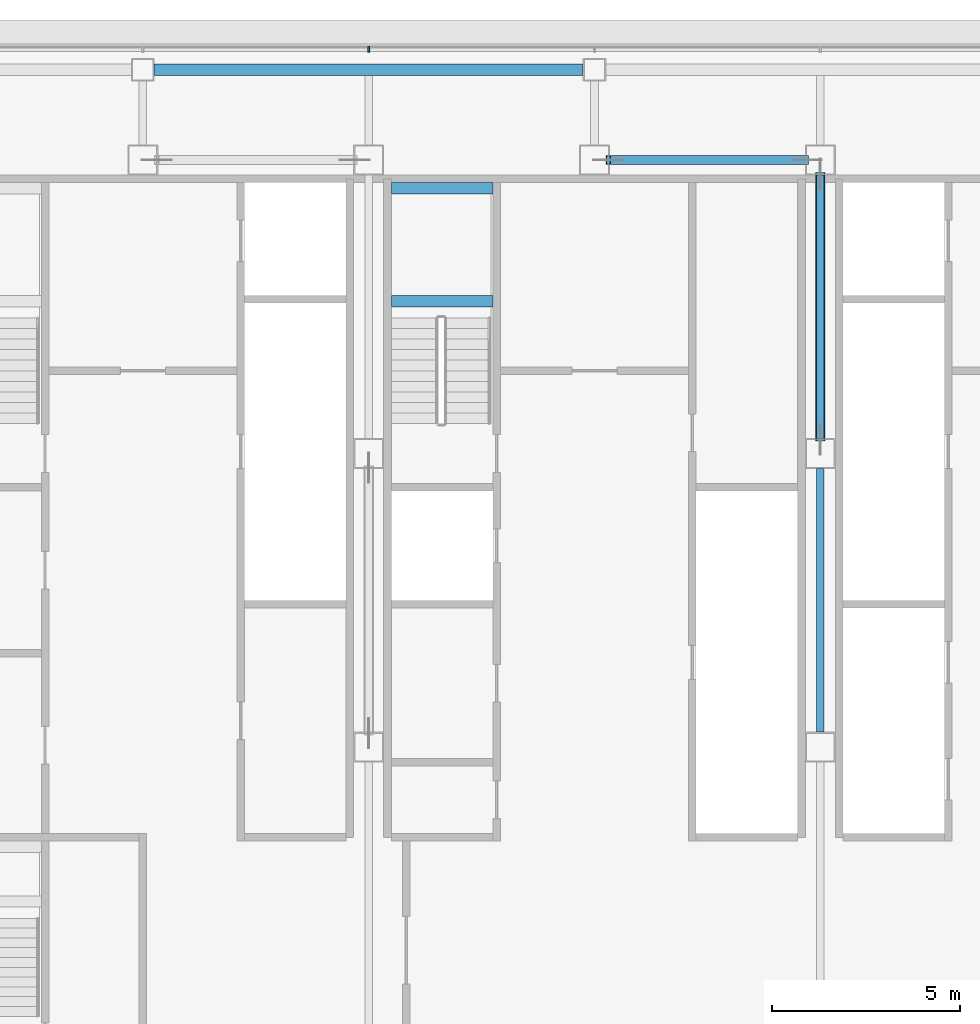
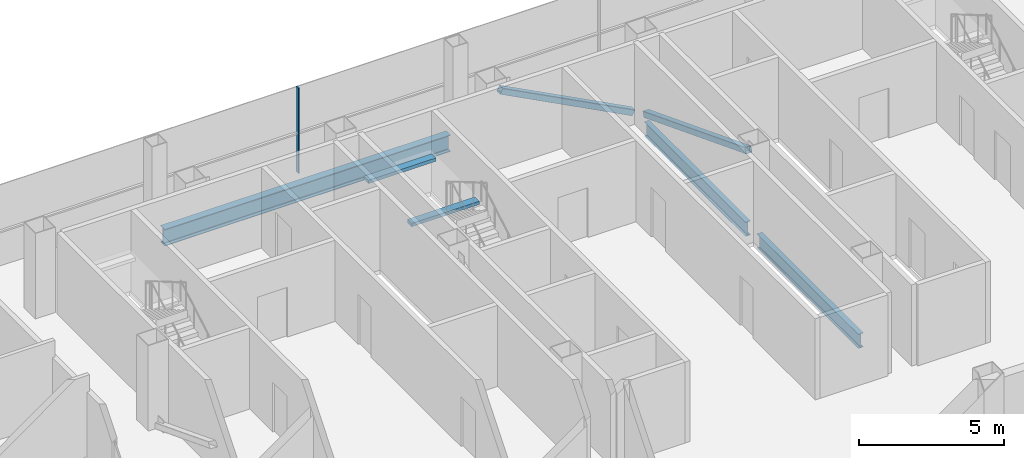
# One storey, part 14 of 28: 5 beams, 3 members, 1 element without a shape of its own.
"""IFC4 building model written with IfcOpenShell, lengths in metres."""

from ifc_helpers import new_model, si_unit, direction, frame, origin, origin_2d, place, context, subcontext, project, spatial, rectangle, hollow_rectangle, i_section, extrude, material, material_profile, profile_set, type_object, element, aggregate, save


model = new_model("IFC4")

# Units and contexts
model_context = context("Model", 3, precision=1e-05, world=origin(), true_north=direction((0.0, 1.0)))
body_context = subcontext(model_context, "Body", "Model", "MODEL_VIEW")
ifc_project = project(units=[si_unit("LENGTHUNIT", "METRE"), si_unit("AREAUNIT", "SQUARE_METRE"), si_unit("VOLUMEUNIT", "CUBIC_METRE"), si_unit("PLANEANGLEUNIT", "RADIAN"), si_unit("MASSUNIT", "GRAM", prefix="KILO")], contexts=[model_context])

# Site, building, storey
site_placement = place(None, origin())
site = spatial("IfcSite", under=ifc_project, at=site_placement, CompositionType="ELEMENT")
building_placement = place(site_placement, origin())
building = spatial("IfcBuilding", under=site, at=building_placement, Name="Sorahane Residences", CompositionType="ELEMENT")
storey_placement = place(building_placement, frame((0.0, 0.0, 250.39990234375)))
storey = spatial("IfcBuildingStorey", under=building, at=storey_placement, Name="L59", CompositionType="ELEMENT", Elevation=250.39990234375)

# Members
ifc_material_1 = material(Name="Steel Q355B", Category="steel")
ifc_material_profile_1 = material_profile(ifc_material_1, hollow_rectangle(XDim=0.25, YDim=0.25, WallThickness=0.013916015625, InnerFilletRadius=0.007080078125, OuterFilletRadius=0.02099609375, at=origin_2d()), Name="RHS 250x250x14")
ifc_profile_set_1 = profile_set([ifc_material_profile_1], Name="Steel Q355B")
member_type_1 = type_object("IfcMemberType", Name="Core brace RHS 250x250x14 Q355B", PredefinedType="BRACE", material=ifc_profile_set_1)
member_1_placement = place(storey_placement, frame((29.634765625, 45.60009765625, 0.10693359375), z_axis=(-0.886099769192, 0.0, 0.46349455125), x_axis=(0.0, -1.0, 0.0)))
element("IfcMember", 1, at=member_1_placement, inside=storey, type_object=member_type_1, Name="Core brace L59 y45.6-4", PredefinedType="BRACE", context=body_context, shape_type="SweptSolid", body=[
    extrude(hollow_rectangle(XDim=0.25, YDim=0.25, WallThickness=0.013916015625, InnerFilletRadius=0.007080078125, OuterFilletRadius=0.02099609375, at=origin_2d()), origin(), (0.0, 0.0, 1.0), 5.94677734375),
])
member_2_placement = place(storey_placement, frame((30.0, 45.22705078125, 0.114501953125), z_axis=(0.0, -0.932097872445, 0.362206510411), x_axis=(1.0, 0.0, 0.0)))
element("IfcMember", 2, at=member_2_placement, inside=storey, type_object=member_type_1, Name="Core brace L59 x30-2", PredefinedType="BRACE", context=body_context, shape_type="SweptSolid", body=[
    extrude(hollow_rectangle(XDim=0.25, YDim=0.25, WallThickness=0.013916015625, InnerFilletRadius=0.007080078125, OuterFilletRadius=0.02099609375, at=origin_2d()), origin(), (0.0, 0.0, 1.0), 7.568115234375),
])

# Curtain wall, member
ifc_material_2 = material(Name="Dark low-e glass and black anodised aluminium", Category="aluminium")
curtain_wall_type = type_object("IfcCurtainWallType", Name="Curtain wall CW-1 Typical unitised wall", PredefinedType="NOTDEFINED", material=ifc_material_2)
curtain_wall_placement = place(storey_placement, origin())
curtain_wall = element("IfcCurtainWall", 3, at=curtain_wall_placement, inside=storey, type_object=curtain_wall_type, Name="CW-1 curtain wall L59 N1", PredefinedType="NOTDEFINED")
ifc_material_3 = material(Name="Black anodised aluminium", Category="aluminium")
ifc_material_profile_2 = material_profile(ifc_material_3, rectangle(XDim=0.159912109375, YDim=0.050048828125, at=origin_2d()), Name="Curtain wall mullion CW-1 black anodised aluminium 50x160")
ifc_profile_set_2 = profile_set([ifc_material_profile_2], Name="Black anodised aluminium")
member_type_2 = type_object("IfcMemberType", Name="Curtain wall mullion CW-1 black anodised aluminium 50x160", PredefinedType="MULLION", material=ifc_profile_set_2)
member_3_placement = place(storey_placement, frame((18.0, 48.5400390625, -0.179931640625), z_axis=(0.0, 0.0, 1.0), x_axis=(0.0, 1.0, 0.0)))
member_3 = element("IfcMember", 4, at=member_3_placement, type_object=member_type_2, Name="CW-1 mullion L59 N1.6", PredefinedType="MULLION", context=body_context, shape_type="SweptSolid", body=[
    extrude(rectangle(XDim=0.159912109375, YDim=0.050048828125, at=origin_2d()), origin(), (0.0, 0.0, 1.0), 3.60009765625),
])
aggregate(curtain_wall, [member_3])

# Beams
ifc_material_4 = material(Name="Concrete C40", Category="concrete")
ifc_material_profile_3 = material_profile(ifc_material_4, rectangle(XDim=0.300048828125, YDim=0.139892578125, at=origin_2d()), Name="300x140")
ifc_profile_set_3 = profile_set([ifc_material_profile_3], Name="Concrete C40")
beam_type_1 = type_object("IfcBeamType", Name="RC landing beam 300 x 140 Concrete C40", PredefinedType="BEAM", material=ifc_profile_set_3)
for number, where, z_axis, x_axis, name in (
    (5, (18.60009765625, 41.85009765625, 1.530029296875), (1.0, 0.0, 0.0), (0.0, 1.0, 0.0), "Landing beam"),
    (6, (18.60009765625, 44.85009765625, 1.530029296875), (1.0, 0.0, 0.0), (0.0, 1.0, 0.0), "Landing beam"),
):
    element("IfcBeam", number, at=place(storey_placement, frame(where, z_axis=z_axis, x_axis=x_axis)), inside=storey, type_object=beam_type_1, Name=name, PredefinedType="BEAM", context=body_context, shape_type="SweptSolid", body=[
        extrude(rectangle(XDim=0.300048828125, YDim=0.139892578125, at=origin_2d()), origin(), (0.0, 0.0, 1.0), 2.699951171875),
    ])
ifc_material_5 = material(Name="Steel Q355B", Category="steel")
ifc_material_profile_4 = material_profile(ifc_material_5, i_section(OverallWidth=0.199951171875, OverallDepth=0.60009765625, WebThickness=0.010986328125, FlangeThickness=0.01708984375, FilletRadius=0.02392578125, at=origin_2d()), Name="HN 600x200x11x17")
ifc_profile_set_4 = profile_set([ifc_material_profile_4], Name="Steel Q355B")
beam_type_2 = type_object("IfcBeamType", Name="Steel floor beam HN 600x200x11x17 Q355B", PredefinedType="BEAM", material=ifc_profile_set_4)
for number, where, z_axis, x_axis, name in (
    (7, (30.0, 30.39990234375, -0.47998046875), (0.0, 1.0, 0.0), (-1.0, 0.0, 0.0), "Beam L59 047"),
    (8, (30.0, 38.199951171875, -0.47998046875), (0.0, 1.0, 0.0), (-1.0, 0.0, 0.0), "Beam L59 048"),
):
    element("IfcBeam", number, at=place(storey_placement, frame(where, z_axis=z_axis, x_axis=x_axis)), inside=storey, type_object=beam_type_2, Name=name, PredefinedType="BEAM", context=body_context, shape_type="SweptSolid", body=[
        extrude(i_section(OverallWidth=0.199951171875, OverallDepth=0.60009765625, WebThickness=0.010986328125, FlangeThickness=0.01708984375, FilletRadius=0.02392578125, at=origin_2d()), origin(), (0.0, 0.0, 1.0), 7.0),
    ])
ifc_material_6 = material(Name="Steel Q355B", Category="steel")
ifc_material_profile_5 = material_profile(ifc_material_6, i_section(OverallWidth=0.300048828125, OverallDepth=0.699951171875, WebThickness=0.012939453125, FlangeThickness=0.02392578125, FilletRadius=0.028076171875, at=origin_2d()), Name="HN 700x300x13x24")
ifc_profile_set_5 = profile_set([ifc_material_profile_5], Name="Steel Q355B")
beam_type_3 = type_object("IfcBeamType", Name="Steel floor beam HN 700x300x13x24 Q355B", PredefinedType="BEAM", material=ifc_profile_set_5)
beam_placement = place(storey_placement, frame((12.300048828125, 48.0, -0.52978515625), z_axis=(1.0, 0.0, 0.0), x_axis=(0.0, 1.0, 0.0)))
element("IfcBeam", 9, at=beam_placement, inside=storey, type_object=beam_type_3, Name="Beam L59 017", PredefinedType="BEAM", context=body_context, shape_type="SweptSolid", body=[
    extrude(i_section(OverallWidth=0.300048828125, OverallDepth=0.699951171875, WebThickness=0.012939453125, FlangeThickness=0.02392578125, FilletRadius=0.028076171875, at=origin_2d()), origin(), (0.0, 0.0, 1.0), 11.39990234375),
])

save(model, "model.ifc")
